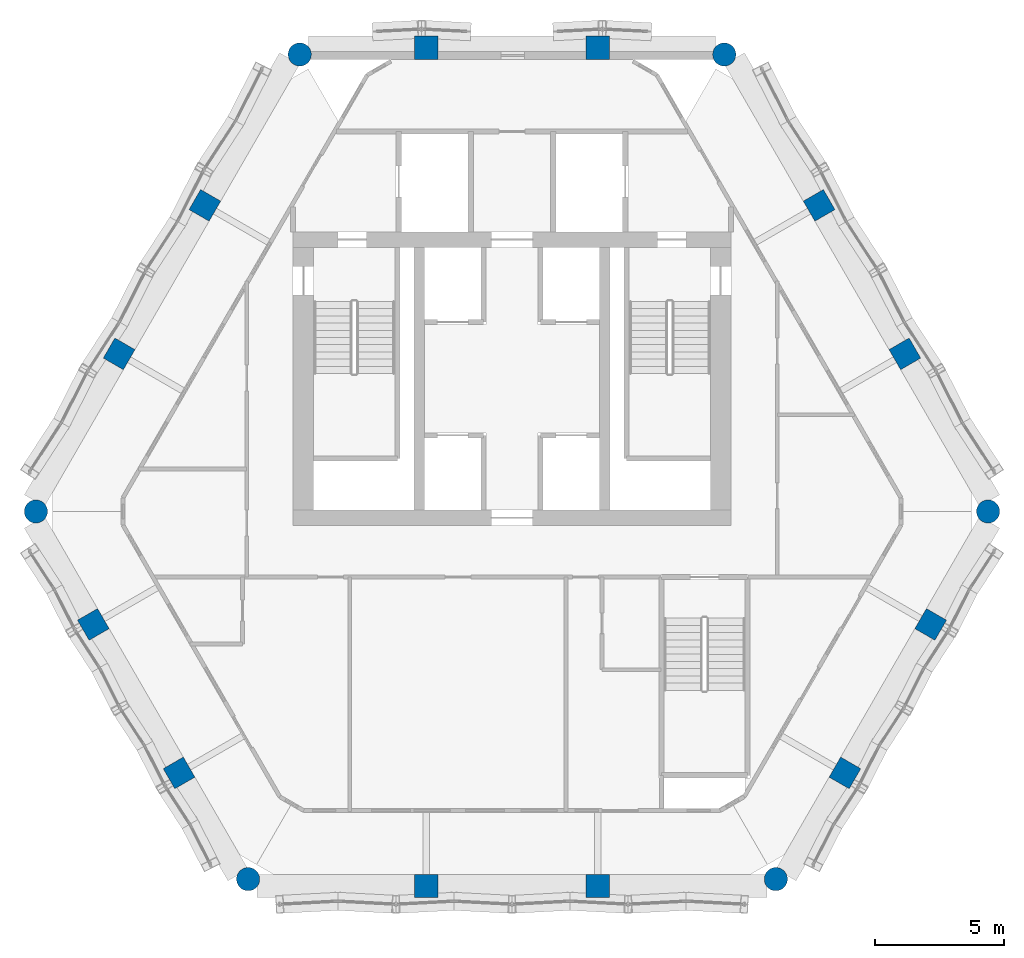
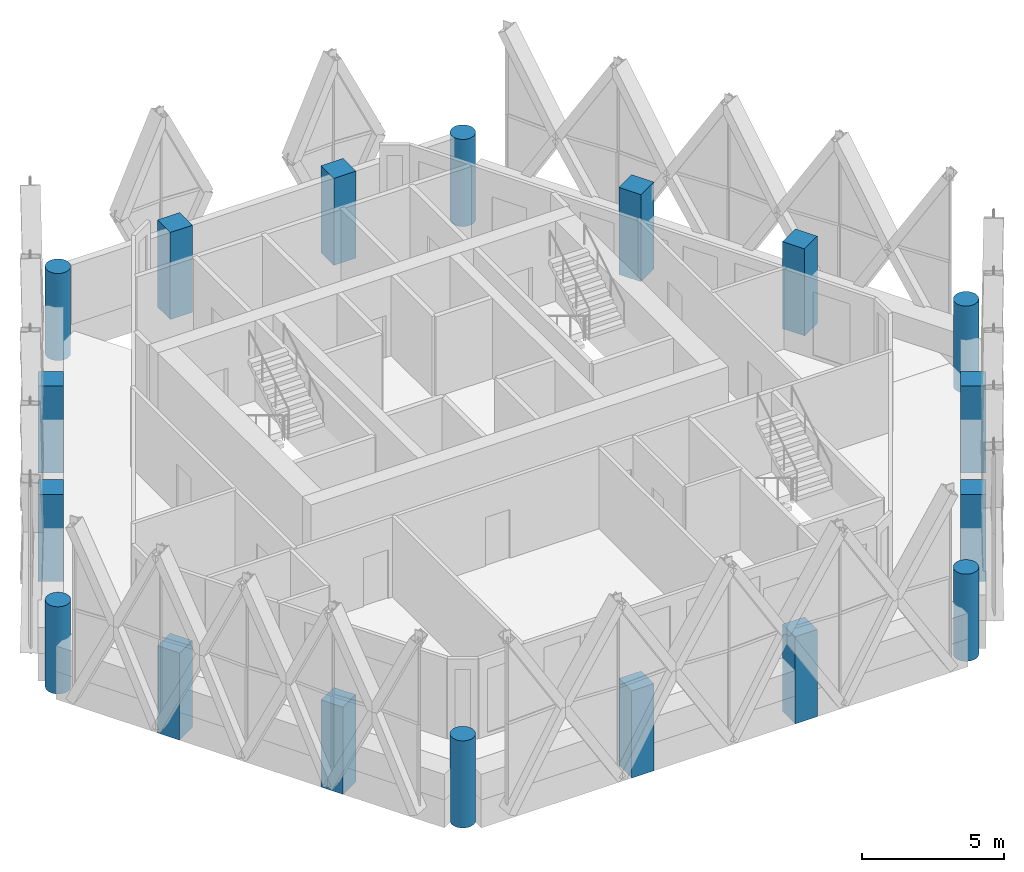
# One storey, part 1 of 27: 18 columns.
"""IFC4 building model written with IfcOpenShell, lengths in metres."""

from ifc_helpers import new_model, si_unit, direction, frame, origin, origin_2d, place, context, subcontext, project, spatial, rectangle, circle, extrude, material, material_profile, profile_set, type_object, element, save


model = new_model("IFC4")

# Units and contexts
model_context = context("Model", 3, precision=1e-05, world=origin(), true_north=direction((0.0, 1.0)))
body_context = subcontext(model_context, "Body", "Model", "MODEL_VIEW")
ifc_project = project(units=[si_unit("LENGTHUNIT", "METRE"), si_unit("AREAUNIT", "SQUARE_METRE"), si_unit("VOLUMEUNIT", "CUBIC_METRE"), si_unit("PLANEANGLEUNIT", "RADIAN"), si_unit("MASSUNIT", "GRAM", prefix="KILO")], contexts=[model_context])

# Site, building, storey
site_placement = place(None, origin())
site = spatial("IfcSite", under=ifc_project, at=site_placement, CompositionType="ELEMENT")
building_placement = place(site_placement, origin())
building = spatial("IfcBuilding", under=site, at=building_placement, Name="Ostrander Bayou Hotel Tower", CompositionType="ELEMENT")
storey_placement = place(building_placement, frame((0.0, 0.0, 267.5)))
storey = spatial("IfcBuildingStorey", under=building, at=storey_placement, Name="L66", CompositionType="ELEMENT", Elevation=267.5)

# Columns
ifc_material_1 = material(Name="Concrete f'c 60 MPa", Category="concrete")
ifc_material_profile_1 = material_profile(ifc_material_1, circle(Radius=0.449951171875, at=origin_2d()))
ifc_profile_set_1 = profile_set([ifc_material_profile_1], Name="Concrete f'c 60 MPa")
column_type_1 = type_object("IfcColumnType", Name="C7 round column 900 mm f'c 60 MPa", PredefinedType="COLUMN", material=ifc_profile_set_1)
for number, where, z_axis, x_axis, name in (
    (1, (-8.2421875, 16.588623046875, -1.199951171875), (0.0, 0.0, 1.0), (1.0, 0.0, 0.0), "C7 L66 K0"),
    (2, (-18.4873046875, -1.156494140625, -1.199951171875), (0.0, 0.0, 1.0), (1.0, 0.0, 0.0), "C7 L66 K1"),
    (3, (-10.2451171875, -15.432373046875, -1.199951171875), (0.0, 0.0, 1.0), (1.0, 0.0, 0.0), "C7 L66 K2"),
    (4, (10.2451171875, -15.432373046875, -1.199951171875), (0.0, 0.0, 1.0), (1.0, 0.0, 0.0), "C7 L66 K3"),
    (5, (18.4873046875, -1.156494140625, -1.199951171875), (0.0, 0.0, 1.0), (1.0, 0.0, 0.0), "C7 L66 K4"),
    (6, (8.2421875, 16.588623046875, -1.199951171875), (0.0, 0.0, 1.0), (1.0, 0.0, 0.0), "C7 L66 K5"),
):
    element("IfcColumn", number, at=place(storey_placement, frame(where, z_axis=z_axis, x_axis=x_axis)), inside=storey, type_object=column_type_1, Name=name, PredefinedType="COLUMN", context=body_context, shape_type="SweptSolid", body=[
        extrude(circle(Radius=0.449951171875, at=origin_2d()), origin(), (0.0, 0.0, 1.0), 3.75),
    ])
ifc_material_2 = material(Name="Concrete f'c 60 MPa", Category="concrete")
ifc_material_profile_2 = material_profile(ifc_material_2, rectangle(XDim=0.89990234375, YDim=0.89990234375, at=origin_2d()))
ifc_profile_set_2 = profile_set([ifc_material_profile_2], Name="Concrete f'c 60 MPa")
column_type_2 = type_object("IfcColumnType", Name="C8 square column 900 x 900 mm f'c 60 MPa", PredefinedType="COLUMN", material=ifc_profile_set_2)
for number, where, z_axis, x_axis, name in (
    (7, (3.329345703125, 16.85009765625, -1.199951171875), (0.0, 0.0, 1.0), (1.0, 0.0, 0.0), "C8 L66 N1"),
    (8, (-3.329345703125, 16.85009765625, -1.199951171875), (0.0, 0.0, 1.0), (1.0, 0.0, 0.0), "C8 L66 N2"),
    (9, (-11.92626953125, 10.72998046875, -1.199951171875), (0.0, 0.0, 1.0), (0.5, 0.866025403784, 0.0), "C8 L66 NW1"),
    (10, (-15.255615234375, 4.96337890625, -1.199951171875), (0.0, 0.0, 1.0), (0.5, 0.866025403784, 0.0), "C8 L66 NW2"),
    (11, (-16.257080078125, -5.541748046875, -1.199951171875), (0.0, 0.0, 1.0), (-0.5, 0.866025403784, 0.0), "C8 L66 SW1"),
    (12, (-12.927734375, -11.308349609375, -1.199951171875), (0.0, 0.0, 1.0), (-0.5, 0.866025403784, 0.0), "C8 L66 SW2"),
    (13, (-3.329345703125, -15.693603515625, -1.199951171875), (0.0, 0.0, 1.0), (-1.0, 0.0, 0.0), "C8 L66 S1"),
    (14, (3.329345703125, -15.693603515625, -1.199951171875), (0.0, 0.0, 1.0), (-1.0, 0.0, 0.0), "C8 L66 S2"),
    (15, (12.927734375, -11.308349609375, -1.199951171875), (0.0, 0.0, 1.0), (-0.5, -0.866025403784, 0.0), "C8 L66 SE1"),
    (16, (16.257080078125, -5.541748046875, -1.199951171875), (0.0, 0.0, 1.0), (-0.5, -0.866025403784, 0.0), "C8 L66 SE2"),
    (17, (15.255615234375, 4.96337890625, -1.199951171875), (0.0, 0.0, 1.0), (0.5, -0.866025403784, 0.0), "C8 L66 NE1"),
    (18, (11.92626953125, 10.72998046875, -1.199951171875), (0.0, 0.0, 1.0), (0.5, -0.866025403784, 0.0), "C8 L66 NE2"),
):
    element("IfcColumn", number, at=place(storey_placement, frame(where, z_axis=z_axis, x_axis=x_axis)), inside=storey, type_object=column_type_2, Name=name, PredefinedType="COLUMN", context=body_context, shape_type="SweptSolid", body=[
        extrude(rectangle(XDim=0.89990234375, YDim=0.89990234375, at=origin_2d()), origin(), (0.0, 0.0, 1.0), 3.75),
    ])

save(model, "model.ifc")
